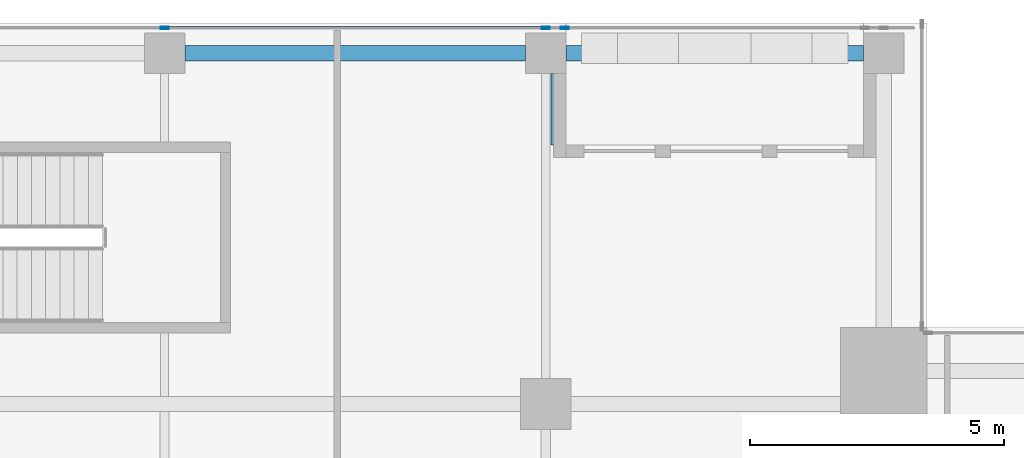
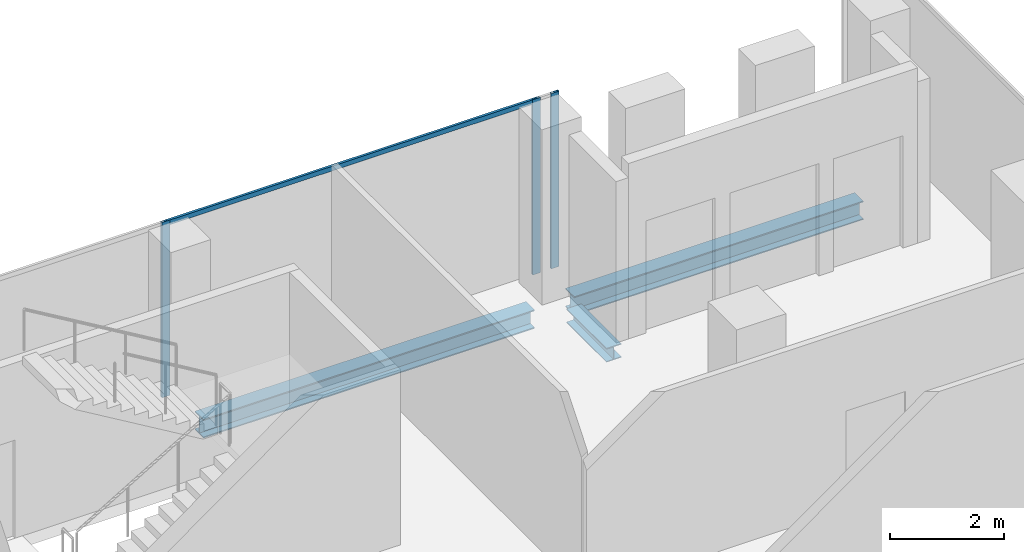
# One storey, part 17 of 29: 4 members, 3 beams, 1 element without a shape of its own.
"""IFC4 building model written with IfcOpenShell, lengths in metres."""

from ifc_helpers import new_model, si_unit, direction, frame, origin, origin_2d, place, context, subcontext, project, spatial, hollow_rectangle, i_section, extrude, source, transform, mapped, material, material_profile, profile_set, type_object, element, aggregate, save


model = new_model("IFC4")

# Units and contexts
model_context = context("Model", 3, precision=1e-05, world=origin(), true_north=direction((0.0, 1.0)))
body_context = subcontext(model_context, "Body", "Model", "MODEL_VIEW")
ifc_project = project(units=[si_unit("LENGTHUNIT", "METRE"), si_unit("AREAUNIT", "SQUARE_METRE"), si_unit("VOLUMEUNIT", "CUBIC_METRE"), si_unit("PLANEANGLEUNIT", "RADIAN"), si_unit("MASSUNIT", "GRAM", prefix="KILO")], contexts=[model_context])

# Site, building, storey
site_placement = place(None, origin())
site = spatial("IfcSite", under=ifc_project, at=site_placement, CompositionType="ELEMENT")
building_placement = place(site_placement, origin())
building = spatial("IfcBuilding", under=site, at=building_placement, Name="Khomas Fold Tower", CompositionType="ELEMENT")
storey_placement = place(building_placement, frame((0.0, 0.0, 322.199951171875)))
storey = spatial("IfcBuildingStorey", under=building, at=storey_placement, Name="L73", CompositionType="ELEMENT", Elevation=322.199951171875)

# Beams
ifc_material_1 = material(Name="Steel S355", Category="steel")
ifc_material_profile_1 = material_profile(ifc_material_1, i_section(OverallWidth=0.300048828125, OverallDepth=0.39990234375, WebThickness=0.013427734375, FlangeThickness=0.02392578125, at=origin_2d()), Name="HE 400 B")
ifc_profile_set_1 = profile_set([ifc_material_profile_1], Name="Steel S355")
beam_type_1 = type_object("IfcBeamType", Name="HE 400 B spandrel SB5", PredefinedType="SPANDREL", material=ifc_profile_set_1)
shared_shape_1 = source(origin(), body_context, "Body", "SweptSolid", [
    extrude(i_section(OverallWidth=0.300048828125, OverallDepth=0.39990234375, WebThickness=0.013427734375, FlangeThickness=0.02392578125, at=origin_2d()), origin(), (0.0, 0.0, 1.0), 5.85009765625),
])
beam_1_placement = place(storey_placement, frame((34.89990234375, 47.39990234375, -0.449951171875), z_axis=(1.0, 0.0, 0.0), x_axis=(0.0, 1.0, 0.0)))
element("IfcBeam", 1, at=beam_1_placement, inside=storey, type_object=beam_type_1, Name="SB5", PredefinedType="SPANDREL", context=body_context, shape_type="MappedRepresentation", body=[
    mapped(shared_shape_1, transform((0.0, 0.0, 0.0))),
])
shared_shape_2 = source(origin(), body_context, "Body", "SweptSolid", [
    extrude(i_section(OverallWidth=0.300048828125, OverallDepth=0.39990234375, WebThickness=0.013427734375, FlangeThickness=0.02392578125, at=origin_2d()), origin(), (0.0, 0.0, 1.0), 6.7001953125),
])
beam_2_placement = place(storey_placement, frame((27.39990234375, 47.39990234375, -0.449951171875), z_axis=(1.0, 0.0, 0.0), x_axis=(0.0, 1.0, 0.0)))
element("IfcBeam", 2, at=beam_2_placement, inside=storey, type_object=beam_type_1, Name="SB5", PredefinedType="SPANDREL", context=body_context, shape_type="MappedRepresentation", body=[
    mapped(shared_shape_2, transform((0.0, 0.0, 0.0))),
])
ifc_material_2 = material(Name="Steel S355", Category="steel")
ifc_material_profile_2 = material_profile(ifc_material_2, i_section(OverallWidth=0.300048828125, OverallDepth=0.300048828125, WebThickness=0.010986328125, FlangeThickness=0.01904296875, at=origin_2d()), Name="HE 300 B")
ifc_profile_set_2 = profile_set([ifc_material_profile_2], Name="Steel S355")
beam_type_2 = type_object("IfcBeamType", Name="HE 300 B beam BB1", PredefinedType="BEAM", material=ifc_profile_set_2)
shared_shape_3 = source(origin(), body_context, "Body", "SweptSolid", [
    extrude(i_section(OverallWidth=0.300048828125, OverallDepth=0.300048828125, WebThickness=0.010986328125, FlangeThickness=0.01904296875, at=origin_2d()), origin(), (0.0, 0.0, 1.0), 1.39990234375),
])
beam_3_placement = place(storey_placement, frame((34.75, 45.60009765625, -0.39990234375), z_axis=(0.0, 1.0, 0.0), x_axis=(-1.0, 0.0, 0.0)))
element("IfcBeam", 3, at=beam_3_placement, inside=storey, type_object=beam_type_2, Name="BB1", PredefinedType="BEAM", context=body_context, shape_type="MappedRepresentation", body=[
    mapped(shared_shape_3, transform((0.0, 0.0, 0.0))),
])

# Curtain wall, members
ifc_material_3 = material(Name="Aluminium framed double glazing", Category="aluminium")
curtain_wall_type = type_object("IfcCurtainWallType", Name="SK-Unitised clear-glass wall, upper floors CW3", PredefinedType="NOTDEFINED", material=ifc_material_3)
curtain_wall_placement = place(storey_placement, origin())
curtain_wall = element("IfcCurtainWall", 4, at=curtain_wall_placement, inside=storey, type_object=curtain_wall_type, Name="CW3 run L73 06-1", PredefinedType="NOTDEFINED")
ifc_material_4 = material(Name="Aluminium", Category="aluminium")
ifc_material_profile_3 = material_profile(ifc_material_4, hollow_rectangle(XDim=0.050048828125, YDim=0.159912109375, WallThickness=0.00390625, at=origin_2d()), Name="SK-Unitised clear-glass wall, upper floors mullion CW3-M")
ifc_profile_set_3 = profile_set([ifc_material_profile_3], Name="Aluminium")
member_type_1 = type_object("IfcMemberType", Name="SK-Unitised clear-glass wall, upper floors mullion CW3-M", PredefinedType="MULLION", material=ifc_profile_set_3)
shared_shape_4 = source(origin(), body_context, "Body", "SweptSolid", [
    extrude(hollow_rectangle(XDim=0.050048828125, YDim=0.159912109375, WallThickness=0.00390625, at=origin_2d()), origin(), (0.0, 0.0, 1.0), 3.75),
])
member_1_placement = place(storey_placement, frame((34.875, 47.89990234375, 0.0), z_axis=(0.0, 0.0, 1.0), x_axis=(0.0, -1.0, 0.0)))
member_1 = element("IfcMember", 5, at=member_1_placement, type_object=member_type_1, Name="CW3 mullion 1", PredefinedType="MULLION", context=body_context, shape_type="MappedRepresentation", body=[
    mapped(shared_shape_4, transform((0.0, 0.0, 0.0))),
])
member_2_placement = place(storey_placement, frame((34.5, 47.89990234375, 0.0), z_axis=(0.0, 0.0, 1.0), x_axis=(0.0, -1.0, 0.0)))
member_2 = element("IfcMember", 6, at=member_2_placement, type_object=member_type_1, Name="CW3 mullion 2", PredefinedType="MULLION", context=body_context, shape_type="MappedRepresentation", body=[
    mapped(shared_shape_4, transform((0.0, 0.0, 0.0))),
])
member_3_placement = place(storey_placement, frame((27.0, 47.89990234375, 0.0), z_axis=(0.0, 0.0, 1.0), x_axis=(0.0, -1.0, 0.0)))
member_3 = element("IfcMember", 7, at=member_3_placement, type_object=member_type_1, Name="CW3 mullion 3", PredefinedType="MULLION", context=body_context, shape_type="MappedRepresentation", body=[
    mapped(shared_shape_4, transform((0.0, 0.0, 0.0))),
])
ifc_material_5 = material(Name="Aluminium", Category="aluminium")
ifc_material_profile_4 = material_profile(ifc_material_5, hollow_rectangle(XDim=0.050048828125, YDim=0.10009765625, WallThickness=0.00390625, at=origin_2d()), Name="SK-Unitised clear-glass wall, upper floors transom CW3-T")
ifc_profile_set_4 = profile_set([ifc_material_profile_4], Name="Aluminium")
member_type_2 = type_object("IfcMemberType", Name="SK-Unitised clear-glass wall, upper floors transom CW3-T", PredefinedType="USERDEFINED", material=ifc_profile_set_4)
shared_shape_5 = source(origin(), body_context, "Body", "SweptSolid", [
    extrude(hollow_rectangle(XDim=0.050048828125, YDim=0.10009765625, WallThickness=0.00390625, at=origin_2d()), origin(), (0.0, 0.0, 1.0), 7.4501953125),
])
member_4_placement = place(storey_placement, frame((34.47509765625, 47.89990234375, 3.699951171875), z_axis=(-1.0, 0.0, 0.0), x_axis=(0.0, -1.0, 0.0)))
member_4 = element("IfcMember", 8, at=member_4_placement, type_object=member_type_2, Name="CW3 transom 2", ObjectType="TRANSOM", PredefinedType="USERDEFINED", context=body_context, shape_type="MappedRepresentation", body=[
    mapped(shared_shape_5, transform((0.0, 0.0, 0.0))),
])
aggregate(curtain_wall, [member_1, member_2, member_3, member_4])

save(model, "model.ifc")
